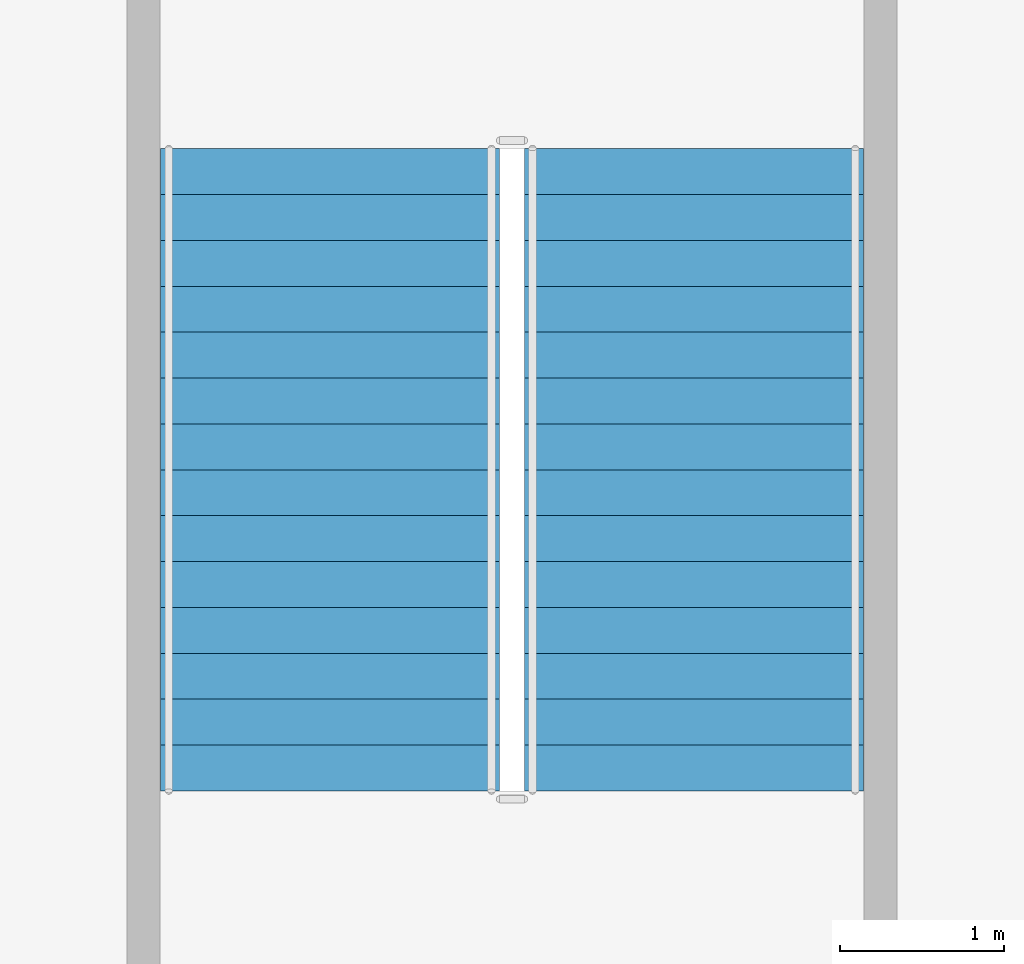
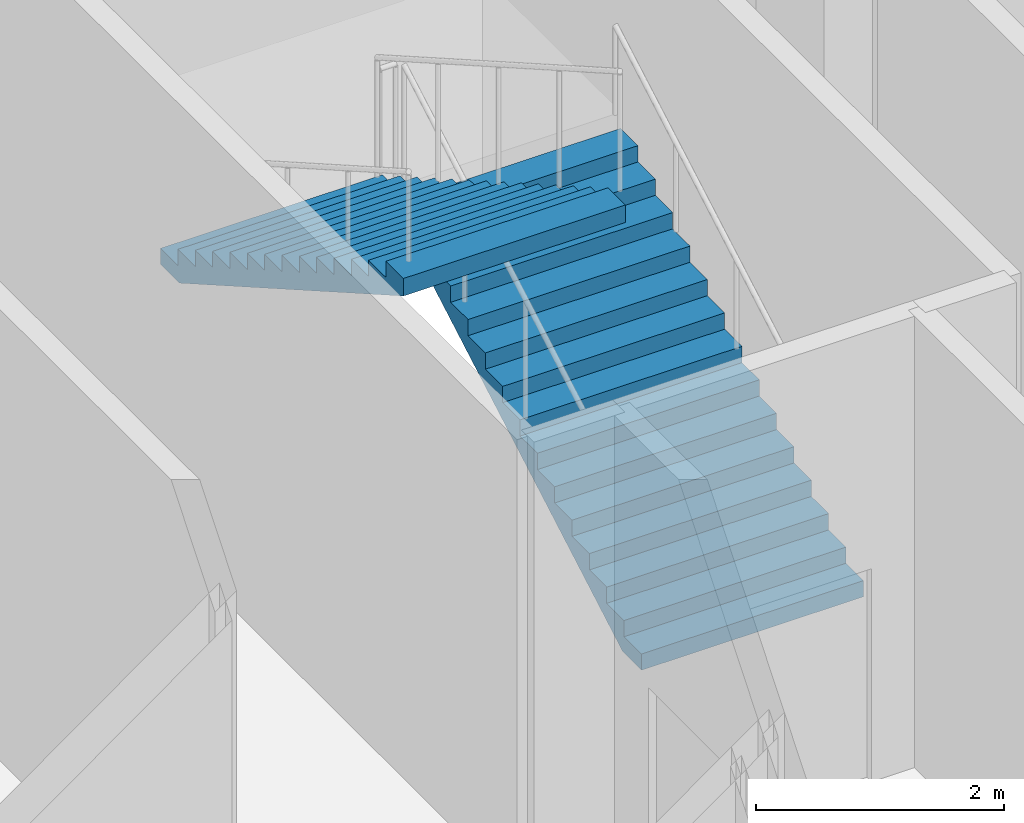
# One storey, part 12 of 23: 2 stair flights, 1 element without a shape of its own.
"""IFC4 building model written with IfcOpenShell, lengths in metres."""

from ifc_helpers import new_model, si_unit, direction, frame, origin, place, context, subcontext, project, spatial, polygons, material, type_object, element, aggregate, save


model = new_model("IFC4")

# Units and contexts
model_context = context("Model", 3, precision=1e-05, world=origin(), true_north=direction((0.0, 1.0)))
body_context = subcontext(model_context, "Body", "Model", "MODEL_VIEW")
ifc_project = project(units=[si_unit("LENGTHUNIT", "METRE"), si_unit("AREAUNIT", "SQUARE_METRE"), si_unit("VOLUMEUNIT", "CUBIC_METRE"), si_unit("PLANEANGLEUNIT", "RADIAN"), si_unit("MASSUNIT", "GRAM", prefix="KILO")], contexts=[model_context])

# Site, building, storey
site_placement = place(None, origin())
site = spatial("IfcSite", under=ifc_project, at=site_placement, CompositionType="ELEMENT")
building_placement = place(site_placement, origin())
building = spatial("IfcBuilding", under=site, at=building_placement, Name="Caravel Reach Hotel and Residences", CompositionType="ELEMENT")
storey_placement = place(building_placement, frame((0.0, 0.0, 24.0)))
storey = spatial("IfcBuildingStorey", under=building, at=storey_placement, Name="L04", CompositionType="ELEMENT", Elevation=24.0)

# Stair, stair flights
ifc_material_1 = material(Name="Concrete C40", Category="concrete")
stair_type = type_object("IfcStairType", Name="Core stair", PredefinedType="HALF_TURN_STAIR", material=ifc_material_1)
stair_placement = place(storey_placement, origin())
stair = element("IfcStair", 1, at=stair_placement, inside=storey, type_object=stair_type, Name="L04 Exit stair P4", PredefinedType="HALF_TURN_STAIR")
ifc_material_2 = material(Name="Concrete C40", Category="concrete")
stair_flight_type = type_object("IfcStairFlightType", Name="Core stair flight", PredefinedType="STRAIGHT", material=ifc_material_2)
stair_flight_1_placement = place(storey_placement, frame((55.110107421875, 13.68994140625, 0.0), z_axis=(0.0, 0.0, 1.0), x_axis=(0.0, 1.0, 0.0)))
stair_flight_1 = element("IfcStairFlight", 2, at=stair_flight_1_placement, type_object=stair_flight_type, Name="ST-P4 flight 1", NumberOfRisers=15, NumberOfTreads=14, PredefinedType="STRAIGHT", RiserHeight=0.16, TreadLength=0.28, context=body_context, shape_type="Tessellation", body=[
    polygons([(0.30213783309663755, 1.0350341796875, 0.0), (0.30213783309663755, 0.6900227864583333, 0.0), (0.30213783309663755, 0.34501139322916663, 0.0), (0.30213783309663755, 0.0, 0.0), (0.30213783309663755, -0.34501139322916674, 0.0), (0.30213783309663755, -0.6900227864583333, 0.0), (0.30213783309663755, -1.0350341796875, 0.0), (3.9210000000000003, 1.0350341796875, 2.0673498096590643), (3.9210000000000003, 0.6900227864583333, 2.0673498096590643), (3.9210000000000003, 0.34501139322916663, 2.0673498096590643), (3.9210000000000003, 0.0, 2.0673498096590643), (3.9210000000000003, -0.34501139322916674, 2.0673498096590643), (3.9210000000000003, -0.6900227864583333, 2.0673498096590643), (3.9210000000000003, -1.0350341796875, 2.0673498096590643), (3.9210000000000003, 1.0350341796875, 2.24), (3.9210000000000003, 0.6900227864583333, 2.24), (3.9210000000000003, 0.34501139322916663, 2.24), (3.9210000000000003, 0.0, 2.24), (3.9210000000000003, -0.34501139322916674, 2.24), (3.9210000000000003, -0.6900227864583333, 2.24), (3.9210000000000003, -1.0350341796875, 2.24), (3.6400000000000006, 1.0350341796875, 2.24), (3.6400000000000006, 0.6900227864583333, 2.24), (3.6400000000000006, 0.34501139322916663, 2.24), (3.6400000000000006, 0.0, 2.24), (3.6400000000000006, -0.34501139322916674, 2.24), (3.6400000000000006, -0.6900227864583333, 2.24), (3.6400000000000006, -1.0350341796875, 2.24), (3.6400000000000006, 1.0350341796875, 2.08), (3.6400000000000006, 0.6900227864583333, 2.08), (3.6400000000000006, 0.34501139322916663, 2.08), (3.6400000000000006, 0.0, 2.08), (3.6400000000000006, -0.34501139322916674, 2.08), (3.6400000000000006, -0.6900227864583333, 2.08), (3.6400000000000006, -1.0350341796875, 2.08), (3.3600000000000003, 1.0350341796875, 2.08), (3.3600000000000003, 0.6900227864583333, 2.08), (3.3600000000000003, 0.34501139322916663, 2.08), (3.3600000000000003, 0.0, 2.08), (3.3600000000000003, -0.34501139322916674, 2.08), (3.3600000000000003, -0.6900227864583333, 2.08), (3.3600000000000003, -1.0350341796875, 2.08), (3.3600000000000003, 1.0350341796875, 1.92), (3.3600000000000003, 0.6900227864583333, 1.92), (3.3600000000000003, 0.34501139322916663, 1.92), (3.3600000000000003, 0.0, 1.92), (3.3600000000000003, -0.34501139322916674, 1.92), (3.3600000000000003, -0.6900227864583333, 1.92), (3.3600000000000003, -1.0350341796875, 1.92), (3.08, 1.0350341796875, 1.92), (3.08, 0.6900227864583333, 1.92), (3.08, 0.34501139322916663, 1.92), (3.08, 0.0, 1.92), (3.08, -0.34501139322916674, 1.92), (3.08, -0.6900227864583333, 1.92), (3.08, -1.0350341796875, 1.92), (3.08, 1.0350341796875, 1.76), (3.08, 0.6900227864583333, 1.76), (3.08, 0.34501139322916663, 1.76), (3.08, 0.0, 1.76), (3.08, -0.34501139322916674, 1.76), (3.08, -0.6900227864583333, 1.76), (3.08, -1.0350341796875, 1.76), (2.8000000000000003, 1.0350341796875, 1.76), (2.8000000000000003, 0.6900227864583333, 1.76), (2.8000000000000003, 0.34501139322916663, 1.76), (2.8000000000000003, 0.0, 1.76), (2.8000000000000003, -0.34501139322916674, 1.76), (2.8000000000000003, -0.6900227864583333, 1.76), (2.8000000000000003, -1.0350341796875, 1.76), (2.8000000000000003, 1.0350341796875, 1.6), (2.8000000000000003, 0.6900227864583333, 1.6), (2.8000000000000003, 0.34501139322916663, 1.6), (2.8000000000000003, 0.0, 1.6), (2.8000000000000003, -0.34501139322916674, 1.6), (2.8000000000000003, -0.6900227864583333, 1.6), (2.8000000000000003, -1.0350341796875, 1.6), (2.5200000000000005, 1.0350341796875, 1.6), (2.5200000000000005, 0.6900227864583333, 1.6), (2.5200000000000005, 0.34501139322916663, 1.6), (2.5200000000000005, 0.0, 1.6), (2.5200000000000005, -0.34501139322916674, 1.6), (2.5200000000000005, -0.6900227864583333, 1.6), (2.5200000000000005, -1.0350341796875, 1.6), (2.5200000000000005, 1.0350341796875, 1.44), (2.5200000000000005, 0.6900227864583333, 1.44), (2.5200000000000005, 0.34501139322916663, 1.44), (2.5200000000000005, 0.0, 1.44), (2.5200000000000005, -0.34501139322916674, 1.44), (2.5200000000000005, -0.6900227864583333, 1.44), (2.5200000000000005, -1.0350341796875, 1.44), (2.24, 1.0350341796875, 1.44), (2.24, 0.6900227864583333, 1.44), (2.24, 0.34501139322916663, 1.44), (2.24, 0.0, 1.44), (2.24, -0.34501139322916674, 1.44), (2.24, -0.6900227864583333, 1.44), (2.24, -1.0350341796875, 1.44), (2.24, 1.0350341796875, 1.28), (2.24, 0.6900227864583333, 1.28), (2.24, 0.34501139322916663, 1.28), (2.24, 0.0, 1.28), (2.24, -0.34501139322916674, 1.28), (2.24, -0.6900227864583333, 1.28), (2.24, -1.0350341796875, 1.28), (1.9600000000000002, 1.0350341796875, 1.28), (1.9600000000000002, 0.6900227864583333, 1.28), (1.9600000000000002, 0.34501139322916663, 1.28), (1.9600000000000002, 0.0, 1.28), (1.9600000000000002, -0.34501139322916674, 1.28), (1.9600000000000002, -0.6900227864583333, 1.28), (1.9600000000000002, -1.0350341796875, 1.28), (1.9600000000000002, 1.0350341796875, 1.12), (1.9600000000000002, 0.6900227864583333, 1.12), (1.9600000000000002, 0.34501139322916663, 1.12), (1.9600000000000002, 0.0, 1.12), (1.9600000000000002, -0.34501139322916674, 1.12), (1.9600000000000002, -0.6900227864583333, 1.12), (1.9600000000000002, -1.0350341796875, 1.12), (1.6800000000000002, 1.0350341796875, 1.12), (1.6800000000000002, 0.6900227864583333, 1.12), (1.6800000000000002, 0.34501139322916663, 1.12), (1.6800000000000002, 0.0, 1.12), (1.6800000000000002, -0.34501139322916674, 1.12), (1.6800000000000002, -0.6900227864583333, 1.12), (1.6800000000000002, -1.0350341796875, 1.12), (1.6800000000000002, 1.0350341796875, 0.96), (1.6800000000000002, 0.6900227864583333, 0.96), (1.6800000000000002, 0.34501139322916663, 0.96), (1.6800000000000002, 0.0, 0.96), (1.6800000000000002, -0.34501139322916674, 0.96), (1.6800000000000002, -0.6900227864583333, 0.96), (1.6800000000000002, -1.0350341796875, 0.96), (1.4000000000000001, 1.0350341796875, 0.96), (1.4000000000000001, 0.6900227864583333, 0.96), (1.4000000000000001, 0.34501139322916663, 0.96), (1.4000000000000001, 0.0, 0.96), (1.4000000000000001, -0.34501139322916674, 0.96), (1.4000000000000001, -0.6900227864583333, 0.96), (1.4000000000000001, -1.0350341796875, 0.96), (1.4000000000000001, 1.0350341796875, 0.8), (1.4000000000000001, 0.6900227864583333, 0.8), (1.4000000000000001, 0.34501139322916663, 0.8), (1.4000000000000001, 0.0, 0.8), (1.4000000000000001, -0.34501139322916674, 0.8), (1.4000000000000001, -0.6900227864583333, 0.8), (1.4000000000000001, -1.0350341796875, 0.8), (1.12, 1.0350341796875, 0.8), (1.12, 0.6900227864583333, 0.8), (1.12, 0.34501139322916663, 0.8), (1.12, 0.0, 0.8), (1.12, -0.34501139322916674, 0.8), (1.12, -0.6900227864583333, 0.8), (1.12, -1.0350341796875, 0.8), (1.12, 1.0350341796875, 0.64), (1.12, 0.6900227864583333, 0.64), (1.12, 0.34501139322916663, 0.64), (1.12, 0.0, 0.64), (1.12, -0.34501139322916674, 0.64), (1.12, -0.6900227864583333, 0.64), (1.12, -1.0350341796875, 0.64), (0.8400000000000001, 1.0350341796875, 0.64), (0.8400000000000001, 0.6900227864583333, 0.64), (0.8400000000000001, 0.34501139322916663, 0.64), (0.8400000000000001, 0.0, 0.64), (0.8400000000000001, -0.34501139322916674, 0.64), (0.8400000000000001, -0.6900227864583333, 0.64), (0.8400000000000001, -1.0350341796875, 0.64), (0.8400000000000001, 1.0350341796875, 0.48), (0.8400000000000001, 0.6900227864583333, 0.48), (0.8400000000000001, 0.34501139322916663, 0.48), (0.8400000000000001, 0.0, 0.48), (0.8400000000000001, -0.34501139322916674, 0.48), (0.8400000000000001, -0.6900227864583333, 0.48), (0.8400000000000001, -1.0350341796875, 0.48), (0.56, 1.0350341796875, 0.48), (0.56, 0.6900227864583333, 0.48), (0.56, 0.34501139322916663, 0.48), (0.56, 0.0, 0.48), (0.56, -0.34501139322916674, 0.48), (0.56, -0.6900227864583333, 0.48), (0.56, -1.0350341796875, 0.48), (0.56, 1.0350341796875, 0.32), (0.56, 0.6900227864583333, 0.32), (0.56, 0.34501139322916663, 0.32), (0.56, 0.0, 0.32), (0.56, -0.34501139322916674, 0.32), (0.56, -0.6900227864583333, 0.32), (0.56, -1.0350341796875, 0.32), (0.28, 1.0350341796875, 0.32), (0.28, 0.6900227864583333, 0.32), (0.28, 0.34501139322916663, 0.32), (0.28, 0.0, 0.32), (0.28, -0.34501139322916674, 0.32), (0.28, -0.6900227864583333, 0.32), (0.28, -1.0350341796875, 0.32), (0.28, 1.0350341796875, 0.16), (0.28, 0.6900227864583333, 0.16), (0.28, 0.34501139322916663, 0.16), (0.28, 0.0, 0.16), (0.28, -0.34501139322916674, 0.16), (0.28, -0.6900227864583333, 0.16), (0.28, -1.0350341796875, 0.16), (-0.001, 1.0350341796875, 0.16), (-0.001, 0.6900227864583333, 0.16), (-0.001, 0.34501139322916663, 0.16), (-0.001, 0.0, 0.16), (-0.001, -0.34501139322916674, 0.16), (-0.001, -0.6900227864583333, 0.16), (-0.001, -1.0350341796875, 0.16), (-0.001, 1.0350341796875, 0.0), (-0.001, 0.6900227864583333, 0.0), (-0.001, 0.34501139322916663, 0.0), (-0.001, 0.0, 0.0), (-0.001, -0.34501139322916674, 0.0), (-0.001, -0.6900227864583333, 0.0), (-0.001, -1.0350341796875, 0.0)], [[[211, 204, 197, 190, 183, 176, 169, 162, 155, 148, 141, 134, 127, 120, 113, 106, 99, 92, 85, 78, 71, 64, 57, 50, 43, 36, 29, 22, 15, 8, 1]], [[7, 14, 21, 28, 35, 42, 49, 56, 63, 70, 77, 84, 91, 98, 105, 112, 119, 126, 133, 140, 147, 154, 161, 168, 175, 182, 189, 196, 203, 210, 217]], [[1, 8, 9, 2]], [[2, 9, 10, 3]], [[3, 10, 11, 4]], [[4, 11, 12, 5]], [[5, 12, 13, 6]], [[6, 13, 14, 7]], [[8, 15, 16, 9]], [[9, 16, 17, 10]], [[10, 17, 18, 11]], [[11, 18, 19, 12]], [[12, 19, 20, 13]], [[13, 20, 21, 14]], [[15, 22, 23, 16]], [[16, 23, 24, 17]], [[17, 24, 25, 18]], [[18, 25, 26, 19]], [[19, 26, 27, 20]], [[20, 27, 28, 21]], [[22, 29, 30, 23]], [[23, 30, 31, 24]], [[24, 31, 32, 25]], [[25, 32, 33, 26]], [[26, 33, 34, 27]], [[27, 34, 35, 28]], [[29, 36, 37, 30]], [[30, 37, 38, 31]], [[31, 38, 39, 32]], [[32, 39, 40, 33]], [[33, 40, 41, 34]], [[34, 41, 42, 35]], [[36, 43, 44, 37]], [[37, 44, 45, 38]], [[38, 45, 46, 39]], [[39, 46, 47, 40]], [[40, 47, 48, 41]], [[41, 48, 49, 42]], [[43, 50, 51, 44]], [[44, 51, 52, 45]], [[45, 52, 53, 46]], [[46, 53, 54, 47]], [[47, 54, 55, 48]], [[48, 55, 56, 49]], [[50, 57, 58, 51]], [[51, 58, 59, 52]], [[52, 59, 60, 53]], [[53, 60, 61, 54]], [[54, 61, 62, 55]], [[55, 62, 63, 56]], [[57, 64, 65, 58]], [[58, 65, 66, 59]], [[59, 66, 67, 60]], [[60, 67, 68, 61]], [[61, 68, 69, 62]], [[62, 69, 70, 63]], [[64, 71, 72, 65]], [[65, 72, 73, 66]], [[66, 73, 74, 67]], [[67, 74, 75, 68]], [[68, 75, 76, 69]], [[69, 76, 77, 70]], [[71, 78, 79, 72]], [[72, 79, 80, 73]], [[73, 80, 81, 74]], [[74, 81, 82, 75]], [[75, 82, 83, 76]], [[76, 83, 84, 77]], [[78, 85, 86, 79]], [[79, 86, 87, 80]], [[80, 87, 88, 81]], [[81, 88, 89, 82]], [[82, 89, 90, 83]], [[83, 90, 91, 84]], [[85, 92, 93, 86]], [[86, 93, 94, 87]], [[87, 94, 95, 88]], [[88, 95, 96, 89]], [[89, 96, 97, 90]], [[90, 97, 98, 91]], [[92, 99, 100, 93]], [[93, 100, 101, 94]], [[94, 101, 102, 95]], [[95, 102, 103, 96]], [[96, 103, 104, 97]], [[97, 104, 105, 98]], [[99, 106, 107, 100]], [[100, 107, 108, 101]], [[101, 108, 109, 102]], [[102, 109, 110, 103]], [[103, 110, 111, 104]], [[104, 111, 112, 105]], [[106, 113, 114, 107]], [[107, 114, 115, 108]], [[108, 115, 116, 109]], [[109, 116, 117, 110]], [[110, 117, 118, 111]], [[111, 118, 119, 112]], [[113, 120, 121, 114]], [[114, 121, 122, 115]], [[115, 122, 123, 116]], [[116, 123, 124, 117]], [[117, 124, 125, 118]], [[118, 125, 126, 119]], [[120, 127, 128, 121]], [[121, 128, 129, 122]], [[122, 129, 130, 123]], [[123, 130, 131, 124]], [[124, 131, 132, 125]], [[125, 132, 133, 126]], [[127, 134, 135, 128]], [[128, 135, 136, 129]], [[129, 136, 137, 130]], [[130, 137, 138, 131]], [[131, 138, 139, 132]], [[132, 139, 140, 133]], [[134, 141, 142, 135]], [[135, 142, 143, 136]], [[136, 143, 144, 137]], [[137, 144, 145, 138]], [[138, 145, 146, 139]], [[139, 146, 147, 140]], [[141, 148, 149, 142]], [[142, 149, 150, 143]], [[143, 150, 151, 144]], [[144, 151, 152, 145]], [[145, 152, 153, 146]], [[146, 153, 154, 147]], [[148, 155, 156, 149]], [[149, 156, 157, 150]], [[150, 157, 158, 151]], [[151, 158, 159, 152]], [[152, 159, 160, 153]], [[153, 160, 161, 154]], [[155, 162, 163, 156]], [[156, 163, 164, 157]], [[157, 164, 165, 158]], [[158, 165, 166, 159]], [[159, 166, 167, 160]], [[160, 167, 168, 161]], [[162, 169, 170, 163]], [[163, 170, 171, 164]], [[164, 171, 172, 165]], [[165, 172, 173, 166]], [[166, 173, 174, 167]], [[167, 174, 175, 168]], [[169, 176, 177, 170]], [[170, 177, 178, 171]], [[171, 178, 179, 172]], [[172, 179, 180, 173]], [[173, 180, 181, 174]], [[174, 181, 182, 175]], [[176, 183, 184, 177]], [[177, 184, 185, 178]], [[178, 185, 186, 179]], [[179, 186, 187, 180]], [[180, 187, 188, 181]], [[181, 188, 189, 182]], [[183, 190, 191, 184]], [[184, 191, 192, 185]], [[185, 192, 193, 186]], [[186, 193, 194, 187]], [[187, 194, 195, 188]], [[188, 195, 196, 189]], [[190, 197, 198, 191]], [[191, 198, 199, 192]], [[192, 199, 200, 193]], [[193, 200, 201, 194]], [[194, 201, 202, 195]], [[195, 202, 203, 196]], [[197, 204, 205, 198]], [[198, 205, 206, 199]], [[199, 206, 207, 200]], [[200, 207, 208, 201]], [[201, 208, 209, 202]], [[202, 209, 210, 203]], [[204, 211, 212, 205]], [[205, 212, 213, 206]], [[206, 213, 214, 207]], [[207, 214, 215, 208]], [[208, 215, 216, 209]], [[209, 216, 217, 210]], [[211, 1, 2, 212]], [[212, 2, 3, 213]], [[213, 3, 4, 214]], [[214, 4, 5, 215]], [[215, 5, 6, 216]], [[216, 6, 7, 217]]], closed=True),
])
stair_flight_2_placement = place(storey_placement, frame((52.889892578125, 17.610107421875, 2.39990234375), z_axis=(0.0, 0.0, 1.0), x_axis=(0.0, -1.0, 0.0)))
stair_flight_2 = element("IfcStairFlight", 3, at=stair_flight_2_placement, type_object=stair_flight_type, Name="ST-P4 flight 2", NumberOfRisers=15, NumberOfTreads=14, PredefinedType="STRAIGHT", RiserHeight=0.16, TreadLength=0.28, context=body_context, shape_type="Tessellation", body=[
    polygons([(0.30213783309663755, 1.0350341796875, 0.0), (0.30213783309663755, 0.6900227864583333, 0.0), (0.30213783309663755, 0.34501139322916663, 0.0), (0.30213783309663755, 0.0, 0.0), (0.30213783309663755, -0.34501139322916674, 0.0), (0.30213783309663755, -0.6900227864583333, 0.0), (0.30213783309663755, -1.0350341796875, 0.0), (3.9210000000000003, 1.0350341796875, 2.0673498096590643), (3.9210000000000003, 0.6900227864583333, 2.0673498096590643), (3.9210000000000003, 0.34501139322916663, 2.0673498096590643), (3.9210000000000003, 0.0, 2.0673498096590643), (3.9210000000000003, -0.34501139322916674, 2.0673498096590643), (3.9210000000000003, -0.6900227864583333, 2.0673498096590643), (3.9210000000000003, -1.0350341796875, 2.0673498096590643), (3.9210000000000003, 1.0350341796875, 2.24), (3.9210000000000003, 0.6900227864583333, 2.24), (3.9210000000000003, 0.34501139322916663, 2.24), (3.9210000000000003, 0.0, 2.24), (3.9210000000000003, -0.34501139322916674, 2.24), (3.9210000000000003, -0.6900227864583333, 2.24), (3.9210000000000003, -1.0350341796875, 2.24), (3.6400000000000006, 1.0350341796875, 2.24), (3.6400000000000006, 0.6900227864583333, 2.24), (3.6400000000000006, 0.34501139322916663, 2.24), (3.6400000000000006, 0.0, 2.24), (3.6400000000000006, -0.34501139322916674, 2.24), (3.6400000000000006, -0.6900227864583333, 2.24), (3.6400000000000006, -1.0350341796875, 2.24), (3.6400000000000006, 1.0350341796875, 2.08), (3.6400000000000006, 0.6900227864583333, 2.08), (3.6400000000000006, 0.34501139322916663, 2.08), (3.6400000000000006, 0.0, 2.08), (3.6400000000000006, -0.34501139322916674, 2.08), (3.6400000000000006, -0.6900227864583333, 2.08), (3.6400000000000006, -1.0350341796875, 2.08), (3.3600000000000003, 1.0350341796875, 2.08), (3.3600000000000003, 0.6900227864583333, 2.08), (3.3600000000000003, 0.34501139322916663, 2.08), (3.3600000000000003, 0.0, 2.08), (3.3600000000000003, -0.34501139322916674, 2.08), (3.3600000000000003, -0.6900227864583333, 2.08), (3.3600000000000003, -1.0350341796875, 2.08), (3.3600000000000003, 1.0350341796875, 1.92), (3.3600000000000003, 0.6900227864583333, 1.92), (3.3600000000000003, 0.34501139322916663, 1.92), (3.3600000000000003, 0.0, 1.92), (3.3600000000000003, -0.34501139322916674, 1.92), (3.3600000000000003, -0.6900227864583333, 1.92), (3.3600000000000003, -1.0350341796875, 1.92), (3.08, 1.0350341796875, 1.92), (3.08, 0.6900227864583333, 1.92), (3.08, 0.34501139322916663, 1.92), (3.08, 0.0, 1.92), (3.08, -0.34501139322916674, 1.92), (3.08, -0.6900227864583333, 1.92), (3.08, -1.0350341796875, 1.92), (3.08, 1.0350341796875, 1.76), (3.08, 0.6900227864583333, 1.76), (3.08, 0.34501139322916663, 1.76), (3.08, 0.0, 1.76), (3.08, -0.34501139322916674, 1.76), (3.08, -0.6900227864583333, 1.76), (3.08, -1.0350341796875, 1.76), (2.8000000000000003, 1.0350341796875, 1.76), (2.8000000000000003, 0.6900227864583333, 1.76), (2.8000000000000003, 0.34501139322916663, 1.76), (2.8000000000000003, 0.0, 1.76), (2.8000000000000003, -0.34501139322916674, 1.76), (2.8000000000000003, -0.6900227864583333, 1.76), (2.8000000000000003, -1.0350341796875, 1.76), (2.8000000000000003, 1.0350341796875, 1.6), (2.8000000000000003, 0.6900227864583333, 1.6), (2.8000000000000003, 0.34501139322916663, 1.6), (2.8000000000000003, 0.0, 1.6), (2.8000000000000003, -0.34501139322916674, 1.6), (2.8000000000000003, -0.6900227864583333, 1.6), (2.8000000000000003, -1.0350341796875, 1.6), (2.5200000000000005, 1.0350341796875, 1.6), (2.5200000000000005, 0.6900227864583333, 1.6), (2.5200000000000005, 0.34501139322916663, 1.6), (2.5200000000000005, 0.0, 1.6), (2.5200000000000005, -0.34501139322916674, 1.6), (2.5200000000000005, -0.6900227864583333, 1.6), (2.5200000000000005, -1.0350341796875, 1.6), (2.5200000000000005, 1.0350341796875, 1.44), (2.5200000000000005, 0.6900227864583333, 1.44), (2.5200000000000005, 0.34501139322916663, 1.44), (2.5200000000000005, 0.0, 1.44), (2.5200000000000005, -0.34501139322916674, 1.44), (2.5200000000000005, -0.6900227864583333, 1.44), (2.5200000000000005, -1.0350341796875, 1.44), (2.24, 1.0350341796875, 1.44), (2.24, 0.6900227864583333, 1.44), (2.24, 0.34501139322916663, 1.44), (2.24, 0.0, 1.44), (2.24, -0.34501139322916674, 1.44), (2.24, -0.6900227864583333, 1.44), (2.24, -1.0350341796875, 1.44), (2.24, 1.0350341796875, 1.28), (2.24, 0.6900227864583333, 1.28), (2.24, 0.34501139322916663, 1.28), (2.24, 0.0, 1.28), (2.24, -0.34501139322916674, 1.28), (2.24, -0.6900227864583333, 1.28), (2.24, -1.0350341796875, 1.28), (1.9600000000000002, 1.0350341796875, 1.28), (1.9600000000000002, 0.6900227864583333, 1.28), (1.9600000000000002, 0.34501139322916663, 1.28), (1.9600000000000002, 0.0, 1.28), (1.9600000000000002, -0.34501139322916674, 1.28), (1.9600000000000002, -0.6900227864583333, 1.28), (1.9600000000000002, -1.0350341796875, 1.28), (1.9600000000000002, 1.0350341796875, 1.12), (1.9600000000000002, 0.6900227864583333, 1.12), (1.9600000000000002, 0.34501139322916663, 1.12), (1.9600000000000002, 0.0, 1.12), (1.9600000000000002, -0.34501139322916674, 1.12), (1.9600000000000002, -0.6900227864583333, 1.12), (1.9600000000000002, -1.0350341796875, 1.12), (1.6800000000000002, 1.0350341796875, 1.12), (1.6800000000000002, 0.6900227864583333, 1.12), (1.6800000000000002, 0.34501139322916663, 1.12), (1.6800000000000002, 0.0, 1.12), (1.6800000000000002, -0.34501139322916674, 1.12), (1.6800000000000002, -0.6900227864583333, 1.12), (1.6800000000000002, -1.0350341796875, 1.12), (1.6800000000000002, 1.0350341796875, 0.96), (1.6800000000000002, 0.6900227864583333, 0.96), (1.6800000000000002, 0.34501139322916663, 0.96), (1.6800000000000002, 0.0, 0.96), (1.6800000000000002, -0.34501139322916674, 0.96), (1.6800000000000002, -0.6900227864583333, 0.96), (1.6800000000000002, -1.0350341796875, 0.96), (1.4000000000000001, 1.0350341796875, 0.96), (1.4000000000000001, 0.6900227864583333, 0.96), (1.4000000000000001, 0.34501139322916663, 0.96), (1.4000000000000001, 0.0, 0.96), (1.4000000000000001, -0.34501139322916674, 0.96), (1.4000000000000001, -0.6900227864583333, 0.96), (1.4000000000000001, -1.0350341796875, 0.96), (1.4000000000000001, 1.0350341796875, 0.8), (1.4000000000000001, 0.6900227864583333, 0.8), (1.4000000000000001, 0.34501139322916663, 0.8), (1.4000000000000001, 0.0, 0.8), (1.4000000000000001, -0.34501139322916674, 0.8), (1.4000000000000001, -0.6900227864583333, 0.8), (1.4000000000000001, -1.0350341796875, 0.8), (1.12, 1.0350341796875, 0.8), (1.12, 0.6900227864583333, 0.8), (1.12, 0.34501139322916663, 0.8), (1.12, 0.0, 0.8), (1.12, -0.34501139322916674, 0.8), (1.12, -0.6900227864583333, 0.8), (1.12, -1.0350341796875, 0.8), (1.12, 1.0350341796875, 0.64), (1.12, 0.6900227864583333, 0.64), (1.12, 0.34501139322916663, 0.64), (1.12, 0.0, 0.64), (1.12, -0.34501139322916674, 0.64), (1.12, -0.6900227864583333, 0.64), (1.12, -1.0350341796875, 0.64), (0.8400000000000001, 1.0350341796875, 0.64), (0.8400000000000001, 0.6900227864583333, 0.64), (0.8400000000000001, 0.34501139322916663, 0.64), (0.8400000000000001, 0.0, 0.64), (0.8400000000000001, -0.34501139322916674, 0.64), (0.8400000000000001, -0.6900227864583333, 0.64), (0.8400000000000001, -1.0350341796875, 0.64), (0.8400000000000001, 1.0350341796875, 0.48), (0.8400000000000001, 0.6900227864583333, 0.48), (0.8400000000000001, 0.34501139322916663, 0.48), (0.8400000000000001, 0.0, 0.48), (0.8400000000000001, -0.34501139322916674, 0.48), (0.8400000000000001, -0.6900227864583333, 0.48), (0.8400000000000001, -1.0350341796875, 0.48), (0.56, 1.0350341796875, 0.48), (0.56, 0.6900227864583333, 0.48), (0.56, 0.34501139322916663, 0.48), (0.56, 0.0, 0.48), (0.56, -0.34501139322916674, 0.48), (0.56, -0.6900227864583333, 0.48), (0.56, -1.0350341796875, 0.48), (0.56, 1.0350341796875, 0.32), (0.56, 0.6900227864583333, 0.32), (0.56, 0.34501139322916663, 0.32), (0.56, 0.0, 0.32), (0.56, -0.34501139322916674, 0.32), (0.56, -0.6900227864583333, 0.32), (0.56, -1.0350341796875, 0.32), (0.28, 1.0350341796875, 0.32), (0.28, 0.6900227864583333, 0.32), (0.28, 0.34501139322916663, 0.32), (0.28, 0.0, 0.32), (0.28, -0.34501139322916674, 0.32), (0.28, -0.6900227864583333, 0.32), (0.28, -1.0350341796875, 0.32), (0.28, 1.0350341796875, 0.16), (0.28, 0.6900227864583333, 0.16), (0.28, 0.34501139322916663, 0.16), (0.28, 0.0, 0.16), (0.28, -0.34501139322916674, 0.16), (0.28, -0.6900227864583333, 0.16), (0.28, -1.0350341796875, 0.16), (-0.001, 1.0350341796875, 0.16), (-0.001, 0.6900227864583333, 0.16), (-0.001, 0.34501139322916663, 0.16), (-0.001, 0.0, 0.16), (-0.001, -0.34501139322916674, 0.16), (-0.001, -0.6900227864583333, 0.16), (-0.001, -1.0350341796875, 0.16), (-0.001, 1.0350341796875, 0.0), (-0.001, 0.6900227864583333, 0.0), (-0.001, 0.34501139322916663, 0.0), (-0.001, 0.0, 0.0), (-0.001, -0.34501139322916674, 0.0), (-0.001, -0.6900227864583333, 0.0), (-0.001, -1.0350341796875, 0.0)], [[[211, 204, 197, 190, 183, 176, 169, 162, 155, 148, 141, 134, 127, 120, 113, 106, 99, 92, 85, 78, 71, 64, 57, 50, 43, 36, 29, 22, 15, 8, 1]], [[7, 14, 21, 28, 35, 42, 49, 56, 63, 70, 77, 84, 91, 98, 105, 112, 119, 126, 133, 140, 147, 154, 161, 168, 175, 182, 189, 196, 203, 210, 217]], [[1, 8, 9, 2]], [[2, 9, 10, 3]], [[3, 10, 11, 4]], [[4, 11, 12, 5]], [[5, 12, 13, 6]], [[6, 13, 14, 7]], [[8, 15, 16, 9]], [[9, 16, 17, 10]], [[10, 17, 18, 11]], [[11, 18, 19, 12]], [[12, 19, 20, 13]], [[13, 20, 21, 14]], [[15, 22, 23, 16]], [[16, 23, 24, 17]], [[17, 24, 25, 18]], [[18, 25, 26, 19]], [[19, 26, 27, 20]], [[20, 27, 28, 21]], [[22, 29, 30, 23]], [[23, 30, 31, 24]], [[24, 31, 32, 25]], [[25, 32, 33, 26]], [[26, 33, 34, 27]], [[27, 34, 35, 28]], [[29, 36, 37, 30]], [[30, 37, 38, 31]], [[31, 38, 39, 32]], [[32, 39, 40, 33]], [[33, 40, 41, 34]], [[34, 41, 42, 35]], [[36, 43, 44, 37]], [[37, 44, 45, 38]], [[38, 45, 46, 39]], [[39, 46, 47, 40]], [[40, 47, 48, 41]], [[41, 48, 49, 42]], [[43, 50, 51, 44]], [[44, 51, 52, 45]], [[45, 52, 53, 46]], [[46, 53, 54, 47]], [[47, 54, 55, 48]], [[48, 55, 56, 49]], [[50, 57, 58, 51]], [[51, 58, 59, 52]], [[52, 59, 60, 53]], [[53, 60, 61, 54]], [[54, 61, 62, 55]], [[55, 62, 63, 56]], [[57, 64, 65, 58]], [[58, 65, 66, 59]], [[59, 66, 67, 60]], [[60, 67, 68, 61]], [[61, 68, 69, 62]], [[62, 69, 70, 63]], [[64, 71, 72, 65]], [[65, 72, 73, 66]], [[66, 73, 74, 67]], [[67, 74, 75, 68]], [[68, 75, 76, 69]], [[69, 76, 77, 70]], [[71, 78, 79, 72]], [[72, 79, 80, 73]], [[73, 80, 81, 74]], [[74, 81, 82, 75]], [[75, 82, 83, 76]], [[76, 83, 84, 77]], [[78, 85, 86, 79]], [[79, 86, 87, 80]], [[80, 87, 88, 81]], [[81, 88, 89, 82]], [[82, 89, 90, 83]], [[83, 90, 91, 84]], [[85, 92, 93, 86]], [[86, 93, 94, 87]], [[87, 94, 95, 88]], [[88, 95, 96, 89]], [[89, 96, 97, 90]], [[90, 97, 98, 91]], [[92, 99, 100, 93]], [[93, 100, 101, 94]], [[94, 101, 102, 95]], [[95, 102, 103, 96]], [[96, 103, 104, 97]], [[97, 104, 105, 98]], [[99, 106, 107, 100]], [[100, 107, 108, 101]], [[101, 108, 109, 102]], [[102, 109, 110, 103]], [[103, 110, 111, 104]], [[104, 111, 112, 105]], [[106, 113, 114, 107]], [[107, 114, 115, 108]], [[108, 115, 116, 109]], [[109, 116, 117, 110]], [[110, 117, 118, 111]], [[111, 118, 119, 112]], [[113, 120, 121, 114]], [[114, 121, 122, 115]], [[115, 122, 123, 116]], [[116, 123, 124, 117]], [[117, 124, 125, 118]], [[118, 125, 126, 119]], [[120, 127, 128, 121]], [[121, 128, 129, 122]], [[122, 129, 130, 123]], [[123, 130, 131, 124]], [[124, 131, 132, 125]], [[125, 132, 133, 126]], [[127, 134, 135, 128]], [[128, 135, 136, 129]], [[129, 136, 137, 130]], [[130, 137, 138, 131]], [[131, 138, 139, 132]], [[132, 139, 140, 133]], [[134, 141, 142, 135]], [[135, 142, 143, 136]], [[136, 143, 144, 137]], [[137, 144, 145, 138]], [[138, 145, 146, 139]], [[139, 146, 147, 140]], [[141, 148, 149, 142]], [[142, 149, 150, 143]], [[143, 150, 151, 144]], [[144, 151, 152, 145]], [[145, 152, 153, 146]], [[146, 153, 154, 147]], [[148, 155, 156, 149]], [[149, 156, 157, 150]], [[150, 157, 158, 151]], [[151, 158, 159, 152]], [[152, 159, 160, 153]], [[153, 160, 161, 154]], [[155, 162, 163, 156]], [[156, 163, 164, 157]], [[157, 164, 165, 158]], [[158, 165, 166, 159]], [[159, 166, 167, 160]], [[160, 167, 168, 161]], [[162, 169, 170, 163]], [[163, 170, 171, 164]], [[164, 171, 172, 165]], [[165, 172, 173, 166]], [[166, 173, 174, 167]], [[167, 174, 175, 168]], [[169, 176, 177, 170]], [[170, 177, 178, 171]], [[171, 178, 179, 172]], [[172, 179, 180, 173]], [[173, 180, 181, 174]], [[174, 181, 182, 175]], [[176, 183, 184, 177]], [[177, 184, 185, 178]], [[178, 185, 186, 179]], [[179, 186, 187, 180]], [[180, 187, 188, 181]], [[181, 188, 189, 182]], [[183, 190, 191, 184]], [[184, 191, 192, 185]], [[185, 192, 193, 186]], [[186, 193, 194, 187]], [[187, 194, 195, 188]], [[188, 195, 196, 189]], [[190, 197, 198, 191]], [[191, 198, 199, 192]], [[192, 199, 200, 193]], [[193, 200, 201, 194]], [[194, 201, 202, 195]], [[195, 202, 203, 196]], [[197, 204, 205, 198]], [[198, 205, 206, 199]], [[199, 206, 207, 200]], [[200, 207, 208, 201]], [[201, 208, 209, 202]], [[202, 209, 210, 203]], [[204, 211, 212, 205]], [[205, 212, 213, 206]], [[206, 213, 214, 207]], [[207, 214, 215, 208]], [[208, 215, 216, 209]], [[209, 216, 217, 210]], [[211, 1, 2, 212]], [[212, 2, 3, 213]], [[213, 3, 4, 214]], [[214, 4, 5, 215]], [[215, 5, 6, 216]], [[216, 6, 7, 217]]], closed=True),
])
aggregate(stair, [stair_flight_1, stair_flight_2])

save(model, "model.ifc")
